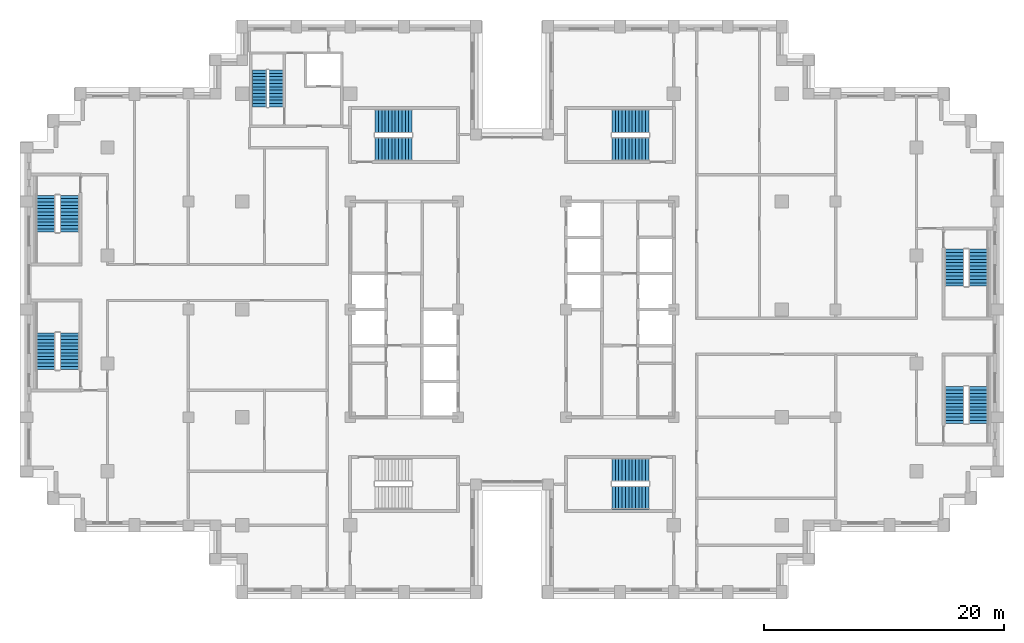
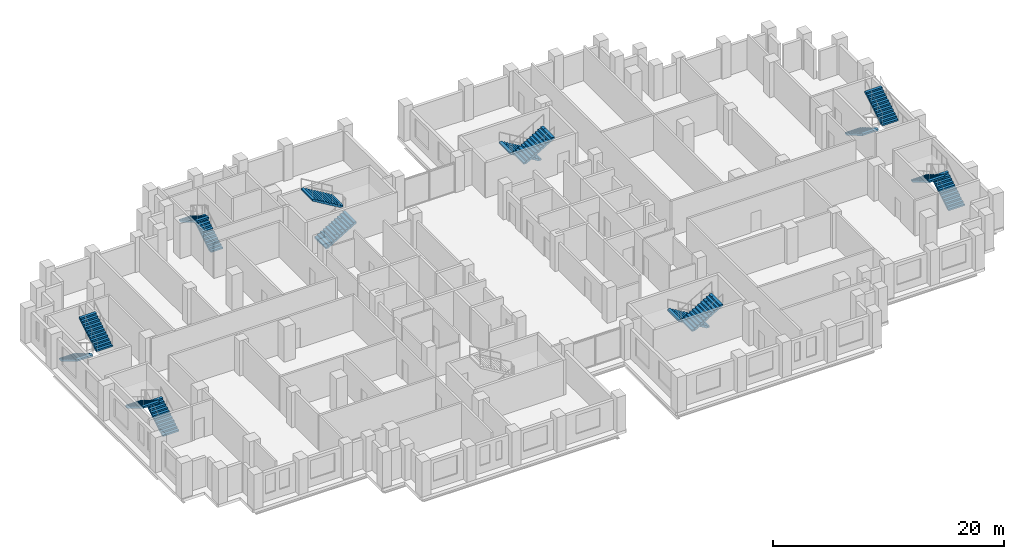
# One storey, part 13 of 15: 16 stair flights, 8 elements without a shape of their own.
"""IFC4 building model written with IfcOpenShell, lengths in metres."""

import ifcopenshell
import ifcopenshell.guid

model = None  # the IFC model being written
_history = None  # IfcOwnerHistory: only IFC2X3 demands one
_inside = {}  # id of a spatial element -> (the spatial element, [elements in it])
_under = {}  # id of a project, library or spatial element -> (it, [spatial elements below it])
_declared = {}  # id of a project -> (the project, [libraries it declares])
_typed = {}  # id of a type object -> (the type object, [elements of that type])
_made_of = {}  # id of a material, layer set ... -> (it, [elements and type objects made of it])


def new_model(schema):
    """Start an empty IFC model of exactly this schema.

    Asked for "IFC4X3", IfcOpenShell would pick the latest addendum, in which some entities
    have other attributes; the version numbers below select the first issue.
    IFC2X3 requires an IfcOwnerHistory on every rooted entity: one is made here for all.
    """
    global model, _history
    if schema == "IFC4X3":
        model = ifcopenshell.file(schema_version=(4, 3, 0, 0))
    else:
        model = ifcopenshell.file(schema=schema)
    _inside.clear()
    _under.clear()
    _declared.clear()
    _typed.clear()
    _made_of.clear()
    _history = None
    if model.schema == "IFC2X3":
        org = make("IfcOrganization", Name="unknown")
        user = make(
            "IfcPersonAndOrganization",
            ThePerson=make("IfcPerson", FamilyName="unknown"),
            TheOrganization=org,
        )
        app = make(
            "IfcApplication",
            ApplicationDeveloper=org,
            Version="unknown",
            ApplicationFullName="unknown",
            ApplicationIdentifier="unknown",
        )
        _history = make(
            "IfcOwnerHistory",
            OwningUser=user,
            OwningApplication=app,
            ChangeAction="ADDED",
            CreationDate=0,
        )
    return model


def make(cls, **values):
    """One entity of the class cls with the attributes given. An attribute that is None is left unset."""
    return model.create_entity(
        cls, **{name: value for name, value in values.items() if value is not None}
    )


def rooted(cls, **values):
    """An entity with a GlobalId (a new one), such as an element, a storey or a relation."""
    return make(cls, GlobalId=ifcopenshell.guid.new(), OwnerHistory=_history, **values)


def si_unit(unit_type, name, prefix=None):
    """IfcSIUnit, for example si_unit("LENGTHUNIT", "METRE", prefix="MILLI")."""
    return make("IfcSIUnit", UnitType=unit_type, Prefix=prefix, Name=name)


def assignment(units):
    """IfcUnitAssignment: the units of a project."""
    return None if units is None else make("IfcUnitAssignment", Units=units)


def point(xyz):
    """IfcCartesianPoint."""
    return None if xyz is None else make("IfcCartesianPoint", Coordinates=xyz)


def direction(xyz):
    """IfcDirection."""
    return None if xyz is None else make("IfcDirection", DirectionRatios=xyz)


def frame(location, z_axis=None, x_axis=None):
    """IfcAxis2Placement3D, a coordinate frame: its origin and axes. An axis left out is left unset."""
    return make(
        "IfcAxis2Placement3D",
        Location=point(location),
        Axis=direction(z_axis),
        RefDirection=direction(x_axis),
    )


def origin():
    """The frame at (0, 0, 0) with its axes left unset."""
    return frame((0.0, 0.0, 0.0))


def place(relative_to, where):
    """IfcLocalPlacement: puts the frame where relative to a parent placement (None: the world)."""
    return make(
        "IfcLocalPlacement", PlacementRelTo=relative_to, RelativePlacement=where
    )


def context(
    kind, dimensions, precision=None, world=None, true_north=None, identifier=None
):
    """IfcGeometricRepresentationContext, for example the 3D "Model" context."""
    return make(
        "IfcGeometricRepresentationContext",
        ContextIdentifier=identifier,
        ContextType=kind,
        CoordinateSpaceDimension=dimensions,
        Precision=precision,
        WorldCoordinateSystem=world,
        TrueNorth=true_north,
    )


def subcontext(parent, identifier, kind, view, scale=None):
    """IfcGeometricRepresentationSubContext, for example "Body" below "Model"."""
    return make(
        "IfcGeometricRepresentationSubContext",
        ContextIdentifier=identifier,
        ContextType=kind,
        ParentContext=parent,
        TargetScale=scale,
        TargetView=view,
    )


def project(units=None, contexts=None):
    """IfcProject with its units and contexts."""
    return rooted(
        "IfcProject",
        Name="project",
        RepresentationContexts=contexts,
        UnitsInContext=assignment(units),
    )


def spatial(cls, under=None, at=None, **own):
    """A site, building, storey or space (cls), placed at a placement, below another one or the project."""
    s = rooted(cls, ObjectPlacement=at, **own)
    if under is not None:
        _under.setdefault(under.id(), (under, []))[1].append(s)
    return s


def polyline(points):
    """IfcPolyline through the points."""
    return make("IfcPolyline", Points=[point(p) for p in points])


def outline(outer, holes=None, kind="AREA"):
    """IfcArbitraryClosedProfileDef: a profile drawn as a closed curve; with holes, ...WithVoids."""
    if holes is None:
        return make("IfcArbitraryClosedProfileDef", ProfileType=kind, OuterCurve=outer)
    return make(
        "IfcArbitraryProfileDefWithVoids",
        ProfileType=kind,
        OuterCurve=outer,
        InnerCurves=holes,
    )


def extrude(swept, where, along, depth):
    """IfcExtrudedAreaSolid: the profile swept, set in the frame where, extruded along a direction by depth."""
    return make(
        "IfcExtrudedAreaSolid",
        SweptArea=swept,
        Position=where,
        ExtrudedDirection=direction(along),
        Depth=depth,
    )


def shape(context_of_items, identifier, shape_type, items):
    """IfcShapeRepresentation: the items that make up one representation, for example the "Body"."""
    return make(
        "IfcShapeRepresentation",
        ContextOfItems=context_of_items,
        RepresentationIdentifier=identifier,
        RepresentationType=shape_type,
        Items=items,
    )


def material(Name=None, Category=None):
    """IfcMaterial."""
    return make("IfcMaterial", Name=Name, Category=Category)


def made_of(thing, what):
    """Note that an element or type object is made of a material, layer set ...; save() writes the relation."""
    if what is not None:
        _made_of.setdefault(what.id(), (what, []))[1].append(thing)
    return thing


def type_object(cls, material=None, **own):
    """A type object (cls), such as IfcWallType, which elements share."""
    return made_of(rooted(cls, **own), material)


def element(
    cls,
    number,
    at=None,
    inside=None,
    cuts=None,
    type_object=None,
    material=None,
    context=None,
    identifier="Body",
    shape_type=None,
    held_by="IfcProductDefinitionShape",
    body=None,
    shapes=None,
    **own,
):
    """One element of the class cls, such as IfcWall. Its Tag is "e" and its number.

    at: its placement. inside: the storey or other place that contains it. cuts: it is an
    opening in that element (IfcRelVoidsElement). A single representation is given by context,
    identifier, shape_type and body (its items); several are given by shapes. held_by: the class
    of the entity that holds the representations. save() writes the other relations.
    """
    e = rooted(cls, Tag="e%d" % number, ObjectPlacement=at, **own)
    if body is not None:
        shapes = [shape(context, identifier, shape_type, body)]
    if shapes is not None:
        e.Representation = make(held_by, Representations=shapes)
    if inside is not None:
        _inside.setdefault(inside.id(), (inside, []))[1].append(e)
    if cuts is not None:
        rooted(
            "IfcRelVoidsElement", RelatingBuildingElement=cuts, RelatedOpeningElement=e
        )
    if type_object is not None:
        _typed.setdefault(type_object.id(), (type_object, []))[1].append(e)
    return made_of(e, material)


def aggregate(whole, parts):
    """IfcRelAggregates: a whole, such as a stair, and the parts it consists of."""
    return rooted("IfcRelAggregates", RelatingObject=whole, RelatedObjects=parts)


def save(model, path):
    """Write the relations noted so far, then the file.

    IfcRelAggregates (storeys below a building ...), IfcRelContainedInSpatialStructure (elements
    in a storey), IfcRelDefinesByType, IfcRelAssociatesMaterial and IfcRelDeclares: one each for
    every whole, place, type object, material and project.
    """
    for whole, parts in _under.values():
        aggregate(whole, parts)
    for where, things in _inside.values():
        rooted(
            "IfcRelContainedInSpatialStructure",
            RelatedElements=things,
            RelatingStructure=where,
        )
    for kind, things in _typed.values():
        rooted("IfcRelDefinesByType", RelatedObjects=things, RelatingType=kind)
    for what, things in _made_of.values():
        rooted("IfcRelAssociatesMaterial", RelatedObjects=things, RelatingMaterial=what)
    for by, libraries in _declared.values():
        rooted("IfcRelDeclares", RelatingContext=by, RelatedDefinitions=libraries)
    model.write(path)


model = new_model("IFC4")

# Units and contexts
model_context = context("Model", 3, precision=1e-05, world=origin(), true_north=direction((0.0, 1.0)))
body_context = subcontext(model_context, "Body", "Model", "MODEL_VIEW")
ifc_project = project(units=[si_unit("LENGTHUNIT", "METRE"), si_unit("AREAUNIT", "SQUARE_METRE"), si_unit("VOLUMEUNIT", "CUBIC_METRE"), si_unit("PLANEANGLEUNIT", "RADIAN"), si_unit("MASSUNIT", "GRAM", prefix="KILO")], contexts=[model_context])

# Site, building, storey
site_placement = place(None, origin())
site = spatial("IfcSite", under=ifc_project, at=site_placement, CompositionType="ELEMENT")
building_placement = place(site_placement, origin())
building = spatial("IfcBuilding", under=site, at=building_placement, Name="Corbelhall Arena Tower", CompositionType="ELEMENT")
storey_placement = place(building_placement, frame((0.0, 0.0, 166.0)))
storey = spatial("IfcBuildingStorey", under=building, at=storey_placement, Name="L33", CompositionType="ELEMENT", Elevation=166.0)

# Stair, stair flights
ifc_material = material(Name="Concrete C40/50", Category="concrete")
stair_type = type_object("IfcStairType", Name="IN-ST-TOWER", PredefinedType="HALF_TURN_STAIR", material=ifc_material)
stair_1_placement = place(storey_placement, origin())
stair_1 = element("IfcStair", 1, at=stair_1_placement, inside=storey, type_object=stair_type, Name="L33 Exit stair ST1", PredefinedType="HALF_TURN_STAIR")
stair_flight_type = type_object("IfcStairFlightType", Name="IN-SFL-RC", PredefinedType="STRAIGHT", material=ifc_material)
stair_flight_1_placement = place(storey_placement, frame((-11.425048828125, 13.39990234375, 0.0), z_axis=(0.0, 0.0, 1.0), x_axis=(1.0, 0.0, 0.0)))
stair_flight_1 = element("IfcStairFlight", 2, at=stair_flight_1_placement, type_object=stair_flight_type, Name="ST1 flight 1", NumberOfRisers=12, NumberOfTreads=11, PredefinedType="STRAIGHT", RiserHeight=0.166666667, TreadLength=0.28, context=body_context, shape_type="SweptSolid", body=[
    extrude(outline(polyline([(0.0, 0.0), (0.0, 0.166748046875), (0.280029296875, 0.166748046875), (0.280029296875, 0.333251953125), (0.56005859375, 0.333251953125), (0.56005859375, 0.5), (0.840087890625, 0.5), (0.840087890625, 0.666748046875), (1.1201171875, 0.666748046875), (1.1201171875, 0.833251953125), (1.39990234375, 0.833251953125), (1.39990234375, 1.0), (1.679931640625, 1.0), (1.679931640625, 1.166748046875), (1.9599609375, 1.166748046875), (1.9599609375, 1.333251953125), (2.239990234375, 1.333251953125), (2.239990234375, 1.5), (2.52001953125, 1.5), (2.52001953125, 1.666748046875), (2.800048828125, 1.666748046875), (2.800048828125, 1.833251953125), (3.080078125, 1.833251953125), (3.080078125, 2.0), (3.080078125, 1.658935546875), (0.29296875, 0.0), (0.0, 0.0)])), frame((0.0, 0.97509765625, 0.0), z_axis=(0.0, -1.0, 0.0), x_axis=(1.0, 0.0, 0.0)), (0.0, 0.0, 1.0), 0.449951171875),
    extrude(outline(polyline([(0.0, 0.0), (0.0, 0.166748046875), (0.280029296875, 0.166748046875), (0.280029296875, 0.333251953125), (0.56005859375, 0.333251953125), (0.56005859375, 0.5), (0.840087890625, 0.5), (0.840087890625, 0.666748046875), (1.1201171875, 0.666748046875), (1.1201171875, 0.833251953125), (1.39990234375, 0.833251953125), (1.39990234375, 1.0), (1.679931640625, 1.0), (1.679931640625, 1.166748046875), (1.9599609375, 1.166748046875), (1.9599609375, 1.333251953125), (2.239990234375, 1.333251953125), (2.239990234375, 1.5), (2.52001953125, 1.5), (2.52001953125, 1.666748046875), (2.800048828125, 1.666748046875), (2.800048828125, 1.833251953125), (3.080078125, 1.833251953125), (3.080078125, 2.0), (3.080078125, 1.658935546875), (0.29296875, 0.0), (0.0, 0.0)])), frame((0.0, 0.52099609375, 0.0), z_axis=(0.0, -1.0, 0.0), x_axis=(1.0, 0.0, 0.0)), (0.0, 0.0, 1.0), 1.0419921875),
    extrude(outline(polyline([(0.0, 0.0), (0.0, 0.166748046875), (0.280029296875, 0.166748046875), (0.280029296875, 0.333251953125), (0.56005859375, 0.333251953125), (0.56005859375, 0.5), (0.840087890625, 0.5), (0.840087890625, 0.666748046875), (1.1201171875, 0.666748046875), (1.1201171875, 0.833251953125), (1.39990234375, 0.833251953125), (1.39990234375, 1.0), (1.679931640625, 1.0), (1.679931640625, 1.166748046875), (1.9599609375, 1.166748046875), (1.9599609375, 1.333251953125), (2.239990234375, 1.333251953125), (2.239990234375, 1.5), (2.52001953125, 1.5), (2.52001953125, 1.666748046875), (2.800048828125, 1.666748046875), (2.800048828125, 1.833251953125), (3.080078125, 1.833251953125), (3.080078125, 2.0), (3.080078125, 1.658935546875), (0.29296875, 0.0), (0.0, 0.0)])), frame((0.0, -0.52490234375, 0.0), z_axis=(0.0, -1.0, 0.0), x_axis=(1.0, 0.0, 0.0)), (0.0, 0.0, 1.0), 0.449951171875),
])
stair_flight_2_placement = place(storey_placement, frame((-8.344970703125, 15.699951171875, 2.0), z_axis=(0.0, 0.0, 1.0), x_axis=(-1.0, 0.0, 0.0)))
stair_flight_2 = element("IfcStairFlight", 3, at=stair_flight_2_placement, type_object=stair_flight_type, Name="ST1 flight 2", NumberOfRisers=12, NumberOfTreads=11, PredefinedType="STRAIGHT", RiserHeight=0.166666667, TreadLength=0.28, context=body_context, shape_type="SweptSolid", body=[
    extrude(outline(polyline([(0.0, 0.0), (0.0, 0.166748046875), (0.280029296875, 0.166748046875), (0.280029296875, 0.333251953125), (0.56005859375, 0.333251953125), (0.56005859375, 0.5), (0.840087890625, 0.5), (0.840087890625, 0.666748046875), (1.1201171875, 0.666748046875), (1.1201171875, 0.833251953125), (1.39990234375, 0.833251953125), (1.39990234375, 1.0), (1.679931640625, 1.0), (1.679931640625, 1.166748046875), (1.9599609375, 1.166748046875), (1.9599609375, 1.333251953125), (2.239990234375, 1.333251953125), (2.239990234375, 1.5), (2.52001953125, 1.5), (2.52001953125, 1.666748046875), (2.800048828125, 1.666748046875), (2.800048828125, 1.833251953125), (3.080078125, 1.833251953125), (3.080078125, 2.0), (3.080078125, 1.658935546875), (0.29296875, 0.0), (0.0, 0.0)])), frame((0.0, 0.97509765625, 0.0), z_axis=(0.0, -1.0, 0.0), x_axis=(1.0, 0.0, 0.0)), (0.0, 0.0, 1.0), 0.449951171875),
    extrude(outline(polyline([(0.0, 0.0), (0.0, 0.166748046875), (0.280029296875, 0.166748046875), (0.280029296875, 0.333251953125), (0.56005859375, 0.333251953125), (0.56005859375, 0.5), (0.840087890625, 0.5), (0.840087890625, 0.666748046875), (1.1201171875, 0.666748046875), (1.1201171875, 0.833251953125), (1.39990234375, 0.833251953125), (1.39990234375, 1.0), (1.679931640625, 1.0), (1.679931640625, 1.166748046875), (1.9599609375, 1.166748046875), (1.9599609375, 1.333251953125), (2.239990234375, 1.333251953125), (2.239990234375, 1.5), (2.52001953125, 1.5), (2.52001953125, 1.666748046875), (2.800048828125, 1.666748046875), (2.800048828125, 1.833251953125), (3.080078125, 1.833251953125), (3.080078125, 2.0), (3.080078125, 1.658935546875), (0.29296875, 0.0), (0.0, 0.0)])), frame((0.0, 0.52099609375, 0.0), z_axis=(0.0, -1.0, 0.0), x_axis=(1.0, 0.0, 0.0)), (0.0, 0.0, 1.0), 1.0419921875),
    extrude(outline(polyline([(0.0, 0.0), (0.0, 0.166748046875), (0.280029296875, 0.166748046875), (0.280029296875, 0.333251953125), (0.56005859375, 0.333251953125), (0.56005859375, 0.5), (0.840087890625, 0.5), (0.840087890625, 0.666748046875), (1.1201171875, 0.666748046875), (1.1201171875, 0.833251953125), (1.39990234375, 0.833251953125), (1.39990234375, 1.0), (1.679931640625, 1.0), (1.679931640625, 1.166748046875), (1.9599609375, 1.166748046875), (1.9599609375, 1.333251953125), (2.239990234375, 1.333251953125), (2.239990234375, 1.5), (2.52001953125, 1.5), (2.52001953125, 1.666748046875), (2.800048828125, 1.666748046875), (2.800048828125, 1.833251953125), (3.080078125, 1.833251953125), (3.080078125, 2.0), (3.080078125, 1.658935546875), (0.29296875, 0.0), (0.0, 0.0)])), frame((0.0, -0.52490234375, 0.0), z_axis=(0.0, -1.0, 0.0), x_axis=(1.0, 0.0, 0.0)), (0.0, 0.0, 1.0), 0.449951171875),
])
aggregate(stair_1, [stair_flight_1, stair_flight_2])

stair_2_placement = place(storey_placement, origin())
stair_2 = element("IfcStair", 4, at=stair_2_placement, inside=storey, type_object=stair_type, Name="L33 Exit stair ST3", PredefinedType="HALF_TURN_STAIR")
stair_flight_3_placement = place(storey_placement, frame((11.425048828125, 15.699951171875, 0.0), z_axis=(0.0, 0.0, 1.0), x_axis=(-1.0, 0.0, 0.0)))
stair_flight_3 = element("IfcStairFlight", 5, at=stair_flight_3_placement, type_object=stair_flight_type, Name="ST3 flight 1", NumberOfRisers=12, NumberOfTreads=11, PredefinedType="STRAIGHT", RiserHeight=0.166666667, TreadLength=0.28, context=body_context, shape_type="SweptSolid", body=[
    extrude(outline(polyline([(0.0, 0.0), (0.0, 0.166748046875), (0.280029296875, 0.166748046875), (0.280029296875, 0.333251953125), (0.56005859375, 0.333251953125), (0.56005859375, 0.5), (0.840087890625, 0.5), (0.840087890625, 0.666748046875), (1.1201171875, 0.666748046875), (1.1201171875, 0.833251953125), (1.39990234375, 0.833251953125), (1.39990234375, 1.0), (1.679931640625, 1.0), (1.679931640625, 1.166748046875), (1.9599609375, 1.166748046875), (1.9599609375, 1.333251953125), (2.239990234375, 1.333251953125), (2.239990234375, 1.5), (2.52001953125, 1.5), (2.52001953125, 1.666748046875), (2.800048828125, 1.666748046875), (2.800048828125, 1.833251953125), (3.080078125, 1.833251953125), (3.080078125, 2.0), (3.080078125, 1.658935546875), (0.29296875, 0.0), (0.0, 0.0)])), frame((0.0, 0.97509765625, 0.0), z_axis=(0.0, -1.0, 0.0), x_axis=(1.0, 0.0, 0.0)), (0.0, 0.0, 1.0), 0.449951171875),
    extrude(outline(polyline([(0.0, 0.0), (0.0, 0.166748046875), (0.280029296875, 0.166748046875), (0.280029296875, 0.333251953125), (0.56005859375, 0.333251953125), (0.56005859375, 0.5), (0.840087890625, 0.5), (0.840087890625, 0.666748046875), (1.1201171875, 0.666748046875), (1.1201171875, 0.833251953125), (1.39990234375, 0.833251953125), (1.39990234375, 1.0), (1.679931640625, 1.0), (1.679931640625, 1.166748046875), (1.9599609375, 1.166748046875), (1.9599609375, 1.333251953125), (2.239990234375, 1.333251953125), (2.239990234375, 1.5), (2.52001953125, 1.5), (2.52001953125, 1.666748046875), (2.800048828125, 1.666748046875), (2.800048828125, 1.833251953125), (3.080078125, 1.833251953125), (3.080078125, 2.0), (3.080078125, 1.658935546875), (0.29296875, 0.0), (0.0, 0.0)])), frame((0.0, 0.52099609375, 0.0), z_axis=(0.0, -1.0, 0.0), x_axis=(1.0, 0.0, 0.0)), (0.0, 0.0, 1.0), 1.0419921875),
    extrude(outline(polyline([(0.0, 0.0), (0.0, 0.166748046875), (0.280029296875, 0.166748046875), (0.280029296875, 0.333251953125), (0.56005859375, 0.333251953125), (0.56005859375, 0.5), (0.840087890625, 0.5), (0.840087890625, 0.666748046875), (1.1201171875, 0.666748046875), (1.1201171875, 0.833251953125), (1.39990234375, 0.833251953125), (1.39990234375, 1.0), (1.679931640625, 1.0), (1.679931640625, 1.166748046875), (1.9599609375, 1.166748046875), (1.9599609375, 1.333251953125), (2.239990234375, 1.333251953125), (2.239990234375, 1.5), (2.52001953125, 1.5), (2.52001953125, 1.666748046875), (2.800048828125, 1.666748046875), (2.800048828125, 1.833251953125), (3.080078125, 1.833251953125), (3.080078125, 2.0), (3.080078125, 1.658935546875), (0.29296875, 0.0), (0.0, 0.0)])), frame((0.0, -0.52490234375, 0.0), z_axis=(0.0, -1.0, 0.0), x_axis=(1.0, 0.0, 0.0)), (0.0, 0.0, 1.0), 0.449951171875),
])
stair_flight_4_placement = place(storey_placement, frame((8.344970703125, 13.39990234375, 2.0), z_axis=(0.0, 0.0, 1.0), x_axis=(1.0, 0.0, 0.0)))
stair_flight_4 = element("IfcStairFlight", 6, at=stair_flight_4_placement, type_object=stair_flight_type, Name="ST3 flight 2", NumberOfRisers=12, NumberOfTreads=11, PredefinedType="STRAIGHT", RiserHeight=0.166666667, TreadLength=0.28, context=body_context, shape_type="SweptSolid", body=[
    extrude(outline(polyline([(0.0, 0.0), (0.0, 0.166748046875), (0.280029296875, 0.166748046875), (0.280029296875, 0.333251953125), (0.56005859375, 0.333251953125), (0.56005859375, 0.5), (0.840087890625, 0.5), (0.840087890625, 0.666748046875), (1.1201171875, 0.666748046875), (1.1201171875, 0.833251953125), (1.39990234375, 0.833251953125), (1.39990234375, 1.0), (1.679931640625, 1.0), (1.679931640625, 1.166748046875), (1.9599609375, 1.166748046875), (1.9599609375, 1.333251953125), (2.239990234375, 1.333251953125), (2.239990234375, 1.5), (2.52001953125, 1.5), (2.52001953125, 1.666748046875), (2.800048828125, 1.666748046875), (2.800048828125, 1.833251953125), (3.080078125, 1.833251953125), (3.080078125, 2.0), (3.080078125, 1.658935546875), (0.29296875, 0.0), (0.0, 0.0)])), frame((0.0, 0.97509765625, 0.0), z_axis=(0.0, -1.0, 0.0), x_axis=(1.0, 0.0, 0.0)), (0.0, 0.0, 1.0), 0.449951171875),
    extrude(outline(polyline([(0.0, 0.0), (0.0, 0.166748046875), (0.280029296875, 0.166748046875), (0.280029296875, 0.333251953125), (0.56005859375, 0.333251953125), (0.56005859375, 0.5), (0.840087890625, 0.5), (0.840087890625, 0.666748046875), (1.1201171875, 0.666748046875), (1.1201171875, 0.833251953125), (1.39990234375, 0.833251953125), (1.39990234375, 1.0), (1.679931640625, 1.0), (1.679931640625, 1.166748046875), (1.9599609375, 1.166748046875), (1.9599609375, 1.333251953125), (2.239990234375, 1.333251953125), (2.239990234375, 1.5), (2.52001953125, 1.5), (2.52001953125, 1.666748046875), (2.800048828125, 1.666748046875), (2.800048828125, 1.833251953125), (3.080078125, 1.833251953125), (3.080078125, 2.0), (3.080078125, 1.658935546875), (0.29296875, 0.0), (0.0, 0.0)])), frame((0.0, 0.52099609375, 0.0), z_axis=(0.0, -1.0, 0.0), x_axis=(1.0, 0.0, 0.0)), (0.0, 0.0, 1.0), 1.0419921875),
    extrude(outline(polyline([(0.0, 0.0), (0.0, 0.166748046875), (0.280029296875, 0.166748046875), (0.280029296875, 0.333251953125), (0.56005859375, 0.333251953125), (0.56005859375, 0.5), (0.840087890625, 0.5), (0.840087890625, 0.666748046875), (1.1201171875, 0.666748046875), (1.1201171875, 0.833251953125), (1.39990234375, 0.833251953125), (1.39990234375, 1.0), (1.679931640625, 1.0), (1.679931640625, 1.166748046875), (1.9599609375, 1.166748046875), (1.9599609375, 1.333251953125), (2.239990234375, 1.333251953125), (2.239990234375, 1.5), (2.52001953125, 1.5), (2.52001953125, 1.666748046875), (2.800048828125, 1.666748046875), (2.800048828125, 1.833251953125), (3.080078125, 1.833251953125), (3.080078125, 2.0), (3.080078125, 1.658935546875), (0.29296875, 0.0), (0.0, 0.0)])), frame((0.0, -0.52490234375, 0.0), z_axis=(0.0, -1.0, 0.0), x_axis=(1.0, 0.0, 0.0)), (0.0, 0.0, 1.0), 0.449951171875),
])
aggregate(stair_2, [stair_flight_3, stair_flight_4])

stair_3_placement = place(storey_placement, origin())
stair_3 = element("IfcStair", 7, at=stair_3_placement, inside=storey, type_object=stair_type, Name="L33 Exit stair ST4", PredefinedType="HALF_TURN_STAIR")
stair_flight_5_placement = place(storey_placement, frame((11.425048828125, -13.39990234375, 0.0), z_axis=(0.0, 0.0, 1.0), x_axis=(-1.0, 0.0, 0.0)))
stair_flight_5 = element("IfcStairFlight", 8, at=stair_flight_5_placement, type_object=stair_flight_type, Name="ST4 flight 1", NumberOfRisers=12, NumberOfTreads=11, PredefinedType="STRAIGHT", RiserHeight=0.166666667, TreadLength=0.28, context=body_context, shape_type="SweptSolid", body=[
    extrude(outline(polyline([(0.0, 0.0), (0.0, 0.166748046875), (0.280029296875, 0.166748046875), (0.280029296875, 0.333251953125), (0.56005859375, 0.333251953125), (0.56005859375, 0.5), (0.840087890625, 0.5), (0.840087890625, 0.666748046875), (1.1201171875, 0.666748046875), (1.1201171875, 0.833251953125), (1.39990234375, 0.833251953125), (1.39990234375, 1.0), (1.679931640625, 1.0), (1.679931640625, 1.166748046875), (1.9599609375, 1.166748046875), (1.9599609375, 1.333251953125), (2.239990234375, 1.333251953125), (2.239990234375, 1.5), (2.52001953125, 1.5), (2.52001953125, 1.666748046875), (2.800048828125, 1.666748046875), (2.800048828125, 1.833251953125), (3.080078125, 1.833251953125), (3.080078125, 2.0), (3.080078125, 1.658935546875), (0.29296875, 0.0), (0.0, 0.0)])), frame((0.0, 0.97509765625, 0.0), z_axis=(0.0, -1.0, 0.0), x_axis=(1.0, 0.0, 0.0)), (0.0, 0.0, 1.0), 0.449951171875),
    extrude(outline(polyline([(0.0, 0.0), (0.0, 0.166748046875), (0.280029296875, 0.166748046875), (0.280029296875, 0.333251953125), (0.56005859375, 0.333251953125), (0.56005859375, 0.5), (0.840087890625, 0.5), (0.840087890625, 0.666748046875), (1.1201171875, 0.666748046875), (1.1201171875, 0.833251953125), (1.39990234375, 0.833251953125), (1.39990234375, 1.0), (1.679931640625, 1.0), (1.679931640625, 1.166748046875), (1.9599609375, 1.166748046875), (1.9599609375, 1.333251953125), (2.239990234375, 1.333251953125), (2.239990234375, 1.5), (2.52001953125, 1.5), (2.52001953125, 1.666748046875), (2.800048828125, 1.666748046875), (2.800048828125, 1.833251953125), (3.080078125, 1.833251953125), (3.080078125, 2.0), (3.080078125, 1.658935546875), (0.29296875, 0.0), (0.0, 0.0)])), frame((0.0, 0.52099609375, 0.0), z_axis=(0.0, -1.0, 0.0), x_axis=(1.0, 0.0, 0.0)), (0.0, 0.0, 1.0), 1.0419921875),
    extrude(outline(polyline([(0.0, 0.0), (0.0, 0.166748046875), (0.280029296875, 0.166748046875), (0.280029296875, 0.333251953125), (0.56005859375, 0.333251953125), (0.56005859375, 0.5), (0.840087890625, 0.5), (0.840087890625, 0.666748046875), (1.1201171875, 0.666748046875), (1.1201171875, 0.833251953125), (1.39990234375, 0.833251953125), (1.39990234375, 1.0), (1.679931640625, 1.0), (1.679931640625, 1.166748046875), (1.9599609375, 1.166748046875), (1.9599609375, 1.333251953125), (2.239990234375, 1.333251953125), (2.239990234375, 1.5), (2.52001953125, 1.5), (2.52001953125, 1.666748046875), (2.800048828125, 1.666748046875), (2.800048828125, 1.833251953125), (3.080078125, 1.833251953125), (3.080078125, 2.0), (3.080078125, 1.658935546875), (0.29296875, 0.0), (0.0, 0.0)])), frame((0.0, -0.52490234375, 0.0), z_axis=(0.0, -1.0, 0.0), x_axis=(1.0, 0.0, 0.0)), (0.0, 0.0, 1.0), 0.449951171875),
])
stair_flight_6_placement = place(storey_placement, frame((8.344970703125, -15.699951171875, 2.0), z_axis=(0.0, 0.0, 1.0), x_axis=(1.0, 0.0, 0.0)))
stair_flight_6 = element("IfcStairFlight", 9, at=stair_flight_6_placement, type_object=stair_flight_type, Name="ST4 flight 2", NumberOfRisers=12, NumberOfTreads=11, PredefinedType="STRAIGHT", RiserHeight=0.166666667, TreadLength=0.28, context=body_context, shape_type="SweptSolid", body=[
    extrude(outline(polyline([(0.0, 0.0), (0.0, 0.166748046875), (0.280029296875, 0.166748046875), (0.280029296875, 0.333251953125), (0.56005859375, 0.333251953125), (0.56005859375, 0.5), (0.840087890625, 0.5), (0.840087890625, 0.666748046875), (1.1201171875, 0.666748046875), (1.1201171875, 0.833251953125), (1.39990234375, 0.833251953125), (1.39990234375, 1.0), (1.679931640625, 1.0), (1.679931640625, 1.166748046875), (1.9599609375, 1.166748046875), (1.9599609375, 1.333251953125), (2.239990234375, 1.333251953125), (2.239990234375, 1.5), (2.52001953125, 1.5), (2.52001953125, 1.666748046875), (2.800048828125, 1.666748046875), (2.800048828125, 1.833251953125), (3.080078125, 1.833251953125), (3.080078125, 2.0), (3.080078125, 1.658935546875), (0.29296875, 0.0), (0.0, 0.0)])), frame((0.0, 0.97509765625, 0.0), z_axis=(0.0, -1.0, 0.0), x_axis=(1.0, 0.0, 0.0)), (0.0, 0.0, 1.0), 0.449951171875),
    extrude(outline(polyline([(0.0, 0.0), (0.0, 0.166748046875), (0.280029296875, 0.166748046875), (0.280029296875, 0.333251953125), (0.56005859375, 0.333251953125), (0.56005859375, 0.5), (0.840087890625, 0.5), (0.840087890625, 0.666748046875), (1.1201171875, 0.666748046875), (1.1201171875, 0.833251953125), (1.39990234375, 0.833251953125), (1.39990234375, 1.0), (1.679931640625, 1.0), (1.679931640625, 1.166748046875), (1.9599609375, 1.166748046875), (1.9599609375, 1.333251953125), (2.239990234375, 1.333251953125), (2.239990234375, 1.5), (2.52001953125, 1.5), (2.52001953125, 1.666748046875), (2.800048828125, 1.666748046875), (2.800048828125, 1.833251953125), (3.080078125, 1.833251953125), (3.080078125, 2.0), (3.080078125, 1.658935546875), (0.29296875, 0.0), (0.0, 0.0)])), frame((0.0, 0.52099609375, 0.0), z_axis=(0.0, -1.0, 0.0), x_axis=(1.0, 0.0, 0.0)), (0.0, 0.0, 1.0), 1.0419921875),
    extrude(outline(polyline([(0.0, 0.0), (0.0, 0.166748046875), (0.280029296875, 0.166748046875), (0.280029296875, 0.333251953125), (0.56005859375, 0.333251953125), (0.56005859375, 0.5), (0.840087890625, 0.5), (0.840087890625, 0.666748046875), (1.1201171875, 0.666748046875), (1.1201171875, 0.833251953125), (1.39990234375, 0.833251953125), (1.39990234375, 1.0), (1.679931640625, 1.0), (1.679931640625, 1.166748046875), (1.9599609375, 1.166748046875), (1.9599609375, 1.333251953125), (2.239990234375, 1.333251953125), (2.239990234375, 1.5), (2.52001953125, 1.5), (2.52001953125, 1.666748046875), (2.800048828125, 1.666748046875), (2.800048828125, 1.833251953125), (3.080078125, 1.833251953125), (3.080078125, 2.0), (3.080078125, 1.658935546875), (0.29296875, 0.0), (0.0, 0.0)])), frame((0.0, -0.52490234375, 0.0), z_axis=(0.0, -1.0, 0.0), x_axis=(1.0, 0.0, 0.0)), (0.0, 0.0, 1.0), 0.449951171875),
])
aggregate(stair_3, [stair_flight_5, stair_flight_6])

stair_4_placement = place(storey_placement, origin())
stair_4 = element("IfcStair", 10, at=stair_4_placement, inside=storey, type_object=stair_type, Name="L33 Exit stair SC1", PredefinedType="HALF_TURN_STAIR")
stair_flight_7_placement = place(storey_placement, frame((-38.89990234375, 9.52490234375, 0.0), z_axis=(0.0, 0.0, 1.0), x_axis=(0.0, -1.0, 0.0)))
stair_flight_7 = element("IfcStairFlight", 11, at=stair_flight_7_placement, type_object=stair_flight_type, Name="SC1 flight 1", NumberOfRisers=12, NumberOfTreads=11, PredefinedType="STRAIGHT", RiserHeight=0.166666667, TreadLength=0.28, context=body_context, shape_type="SweptSolid", body=[
    extrude(outline(polyline([(0.0, 0.0), (0.0, 0.166748046875), (0.280029296875, 0.166748046875), (0.280029296875, 0.333251953125), (0.56005859375, 0.333251953125), (0.56005859375, 0.5), (0.840087890625, 0.5), (0.840087890625, 0.666748046875), (1.1201171875, 0.666748046875), (1.1201171875, 0.833251953125), (1.39990234375, 0.833251953125), (1.39990234375, 1.0), (1.679931640625, 1.0), (1.679931640625, 1.166748046875), (1.9599609375, 1.166748046875), (1.9599609375, 1.333251953125), (2.239990234375, 1.333251953125), (2.239990234375, 1.5), (2.52001953125, 1.5), (2.52001953125, 1.666748046875), (2.800048828125, 1.666748046875), (2.800048828125, 1.833251953125), (3.080078125, 1.833251953125), (3.080078125, 2.0), (3.080078125, 1.658935546875), (0.29296875, 0.0), (0.0, 0.0)])), frame((0.0, 0.800048828125, 0.0), z_axis=(0.0, -1.0, 0.0), x_axis=(1.0, 0.0, 0.0)), (0.0, 0.0, 1.0), 1.60009765625),
])
stair_flight_8_placement = place(storey_placement, frame((-36.925048828125, 6.445068359375, 2.0), z_axis=(0.0, 0.0, 1.0), x_axis=(0.0, 1.0, 0.0)))
stair_flight_8 = element("IfcStairFlight", 12, at=stair_flight_8_placement, type_object=stair_flight_type, Name="SC1 flight 2", NumberOfRisers=12, NumberOfTreads=11, PredefinedType="STRAIGHT", RiserHeight=0.166666667, TreadLength=0.28, context=body_context, shape_type="SweptSolid", body=[
    extrude(outline(polyline([(0.0, 0.0), (0.0, 0.166748046875), (0.280029296875, 0.166748046875), (0.280029296875, 0.333251953125), (0.56005859375, 0.333251953125), (0.56005859375, 0.5), (0.840087890625, 0.5), (0.840087890625, 0.666748046875), (1.1201171875, 0.666748046875), (1.1201171875, 0.833251953125), (1.39990234375, 0.833251953125), (1.39990234375, 1.0), (1.679931640625, 1.0), (1.679931640625, 1.166748046875), (1.9599609375, 1.166748046875), (1.9599609375, 1.333251953125), (2.239990234375, 1.333251953125), (2.239990234375, 1.5), (2.52001953125, 1.5), (2.52001953125, 1.666748046875), (2.800048828125, 1.666748046875), (2.800048828125, 1.833251953125), (3.080078125, 1.833251953125), (3.080078125, 2.0), (3.080078125, 1.658935546875), (0.29296875, 0.0), (0.0, 0.0)])), frame((0.0, 0.800048828125, 0.0), z_axis=(0.0, -1.0, 0.0), x_axis=(1.0, 0.0, 0.0)), (0.0, 0.0, 1.0), 1.60009765625),
])
aggregate(stair_4, [stair_flight_7, stair_flight_8])

stair_5_placement = place(storey_placement, origin())
stair_5 = element("IfcStair", 13, at=stair_5_placement, inside=storey, type_object=stair_type, Name="L33 Exit stair SC2", PredefinedType="HALF_TURN_STAIR")
stair_flight_9_placement = place(storey_placement, frame((-36.925048828125, -5.02490234375, 0.0), z_axis=(0.0, 0.0, 1.0), x_axis=(0.0, 1.0, 0.0)))
stair_flight_9 = element("IfcStairFlight", 14, at=stair_flight_9_placement, type_object=stair_flight_type, Name="SC2 flight 1", NumberOfRisers=12, NumberOfTreads=11, PredefinedType="STRAIGHT", RiserHeight=0.166666667, TreadLength=0.28, context=body_context, shape_type="SweptSolid", body=[
    extrude(outline(polyline([(0.0, 0.0), (0.0, 0.166748046875), (0.280029296875, 0.166748046875), (0.280029296875, 0.333251953125), (0.56005859375, 0.333251953125), (0.56005859375, 0.5), (0.840087890625, 0.5), (0.840087890625, 0.666748046875), (1.1201171875, 0.666748046875), (1.1201171875, 0.833251953125), (1.39990234375, 0.833251953125), (1.39990234375, 1.0), (1.679931640625, 1.0), (1.679931640625, 1.166748046875), (1.9599609375, 1.166748046875), (1.9599609375, 1.333251953125), (2.239990234375, 1.333251953125), (2.239990234375, 1.5), (2.52001953125, 1.5), (2.52001953125, 1.666748046875), (2.800048828125, 1.666748046875), (2.800048828125, 1.833251953125), (3.080078125, 1.833251953125), (3.080078125, 2.0), (3.080078125, 1.658935546875), (0.29296875, 0.0), (0.0, 0.0)])), frame((0.0, 0.800048828125, 0.0), z_axis=(0.0, -1.0, 0.0), x_axis=(1.0, 0.0, 0.0)), (0.0, 0.0, 1.0), 1.60009765625),
])
stair_flight_10_placement = place(storey_placement, frame((-38.89990234375, -1.945068359375, 2.0), z_axis=(0.0, 0.0, 1.0), x_axis=(0.0, -1.0, 0.0)))
stair_flight_10 = element("IfcStairFlight", 15, at=stair_flight_10_placement, type_object=stair_flight_type, Name="SC2 flight 2", NumberOfRisers=12, NumberOfTreads=11, PredefinedType="STRAIGHT", RiserHeight=0.166666667, TreadLength=0.28, context=body_context, shape_type="SweptSolid", body=[
    extrude(outline(polyline([(0.0, 0.0), (0.0, 0.166748046875), (0.280029296875, 0.166748046875), (0.280029296875, 0.333251953125), (0.56005859375, 0.333251953125), (0.56005859375, 0.5), (0.840087890625, 0.5), (0.840087890625, 0.666748046875), (1.1201171875, 0.666748046875), (1.1201171875, 0.833251953125), (1.39990234375, 0.833251953125), (1.39990234375, 1.0), (1.679931640625, 1.0), (1.679931640625, 1.166748046875), (1.9599609375, 1.166748046875), (1.9599609375, 1.333251953125), (2.239990234375, 1.333251953125), (2.239990234375, 1.5), (2.52001953125, 1.5), (2.52001953125, 1.666748046875), (2.800048828125, 1.666748046875), (2.800048828125, 1.833251953125), (3.080078125, 1.833251953125), (3.080078125, 2.0), (3.080078125, 1.658935546875), (0.29296875, 0.0), (0.0, 0.0)])), frame((0.0, 0.800048828125, 0.0), z_axis=(0.0, -1.0, 0.0), x_axis=(1.0, 0.0, 0.0)), (0.0, 0.0, 1.0), 1.60009765625),
])
aggregate(stair_5, [stair_flight_9, stair_flight_10])

stair_6_placement = place(storey_placement, origin())
stair_6 = element("IfcStair", 16, at=stair_6_placement, inside=storey, type_object=stair_type, Name="L33 Exit stair SD1", PredefinedType="HALF_TURN_STAIR")
stair_flight_11_placement = place(storey_placement, frame((38.89990234375, -9.52490234375, 0.0), z_axis=(0.0, 0.0, 1.0), x_axis=(0.0, 1.0, 0.0)))
stair_flight_11 = element("IfcStairFlight", 17, at=stair_flight_11_placement, type_object=stair_flight_type, Name="SD1 flight 1", NumberOfRisers=12, NumberOfTreads=11, PredefinedType="STRAIGHT", RiserHeight=0.166666667, TreadLength=0.28, context=body_context, shape_type="SweptSolid", body=[
    extrude(outline(polyline([(0.0, 0.0), (0.0, 0.166748046875), (0.280029296875, 0.166748046875), (0.280029296875, 0.333251953125), (0.56005859375, 0.333251953125), (0.56005859375, 0.5), (0.840087890625, 0.5), (0.840087890625, 0.666748046875), (1.1201171875, 0.666748046875), (1.1201171875, 0.833251953125), (1.39990234375, 0.833251953125), (1.39990234375, 1.0), (1.679931640625, 1.0), (1.679931640625, 1.166748046875), (1.9599609375, 1.166748046875), (1.9599609375, 1.333251953125), (2.239990234375, 1.333251953125), (2.239990234375, 1.5), (2.52001953125, 1.5), (2.52001953125, 1.666748046875), (2.800048828125, 1.666748046875), (2.800048828125, 1.833251953125), (3.080078125, 1.833251953125), (3.080078125, 2.0), (3.080078125, 1.658935546875), (0.29296875, 0.0), (0.0, 0.0)])), frame((0.0, 0.800048828125, 0.0), z_axis=(0.0, -1.0, 0.0), x_axis=(1.0, 0.0, 0.0)), (0.0, 0.0, 1.0), 1.60009765625),
])
stair_flight_12_placement = place(storey_placement, frame((36.925048828125, -6.445068359375, 2.0), z_axis=(0.0, 0.0, 1.0), x_axis=(0.0, -1.0, 0.0)))
stair_flight_12 = element("IfcStairFlight", 18, at=stair_flight_12_placement, type_object=stair_flight_type, Name="SD1 flight 2", NumberOfRisers=12, NumberOfTreads=11, PredefinedType="STRAIGHT", RiserHeight=0.166666667, TreadLength=0.28, context=body_context, shape_type="SweptSolid", body=[
    extrude(outline(polyline([(0.0, 0.0), (0.0, 0.166748046875), (0.280029296875, 0.166748046875), (0.280029296875, 0.333251953125), (0.56005859375, 0.333251953125), (0.56005859375, 0.5), (0.840087890625, 0.5), (0.840087890625, 0.666748046875), (1.1201171875, 0.666748046875), (1.1201171875, 0.833251953125), (1.39990234375, 0.833251953125), (1.39990234375, 1.0), (1.679931640625, 1.0), (1.679931640625, 1.166748046875), (1.9599609375, 1.166748046875), (1.9599609375, 1.333251953125), (2.239990234375, 1.333251953125), (2.239990234375, 1.5), (2.52001953125, 1.5), (2.52001953125, 1.666748046875), (2.800048828125, 1.666748046875), (2.800048828125, 1.833251953125), (3.080078125, 1.833251953125), (3.080078125, 2.0), (3.080078125, 1.658935546875), (0.29296875, 0.0), (0.0, 0.0)])), frame((0.0, 0.800048828125, 0.0), z_axis=(0.0, -1.0, 0.0), x_axis=(1.0, 0.0, 0.0)), (0.0, 0.0, 1.0), 1.60009765625),
])
aggregate(stair_6, [stair_flight_11, stair_flight_12])

stair_7_placement = place(storey_placement, origin())
stair_7 = element("IfcStair", 19, at=stair_7_placement, inside=storey, type_object=stair_type, Name="L33 Exit stair SD2", PredefinedType="HALF_TURN_STAIR")
stair_flight_13_placement = place(storey_placement, frame((36.925048828125, 5.02490234375, 0.0), z_axis=(0.0, 0.0, 1.0), x_axis=(0.0, -1.0, 0.0)))
stair_flight_13 = element("IfcStairFlight", 20, at=stair_flight_13_placement, type_object=stair_flight_type, Name="SD2 flight 1", NumberOfRisers=12, NumberOfTreads=11, PredefinedType="STRAIGHT", RiserHeight=0.166666667, TreadLength=0.28, context=body_context, shape_type="SweptSolid", body=[
    extrude(outline(polyline([(0.0, 0.0), (0.0, 0.166748046875), (0.280029296875, 0.166748046875), (0.280029296875, 0.333251953125), (0.56005859375, 0.333251953125), (0.56005859375, 0.5), (0.840087890625, 0.5), (0.840087890625, 0.666748046875), (1.1201171875, 0.666748046875), (1.1201171875, 0.833251953125), (1.39990234375, 0.833251953125), (1.39990234375, 1.0), (1.679931640625, 1.0), (1.679931640625, 1.166748046875), (1.9599609375, 1.166748046875), (1.9599609375, 1.333251953125), (2.239990234375, 1.333251953125), (2.239990234375, 1.5), (2.52001953125, 1.5), (2.52001953125, 1.666748046875), (2.800048828125, 1.666748046875), (2.800048828125, 1.833251953125), (3.080078125, 1.833251953125), (3.080078125, 2.0), (3.080078125, 1.658935546875), (0.29296875, 0.0), (0.0, 0.0)])), frame((0.0, 0.800048828125, 0.0), z_axis=(0.0, -1.0, 0.0), x_axis=(1.0, 0.0, 0.0)), (0.0, 0.0, 1.0), 1.60009765625),
])
stair_flight_14_placement = place(storey_placement, frame((38.89990234375, 1.945068359375, 2.0), z_axis=(0.0, 0.0, 1.0), x_axis=(0.0, 1.0, 0.0)))
stair_flight_14 = element("IfcStairFlight", 21, at=stair_flight_14_placement, type_object=stair_flight_type, Name="SD2 flight 2", NumberOfRisers=12, NumberOfTreads=11, PredefinedType="STRAIGHT", RiserHeight=0.166666667, TreadLength=0.28, context=body_context, shape_type="SweptSolid", body=[
    extrude(outline(polyline([(0.0, 0.0), (0.0, 0.166748046875), (0.280029296875, 0.166748046875), (0.280029296875, 0.333251953125), (0.56005859375, 0.333251953125), (0.56005859375, 0.5), (0.840087890625, 0.5), (0.840087890625, 0.666748046875), (1.1201171875, 0.666748046875), (1.1201171875, 0.833251953125), (1.39990234375, 0.833251953125), (1.39990234375, 1.0), (1.679931640625, 1.0), (1.679931640625, 1.166748046875), (1.9599609375, 1.166748046875), (1.9599609375, 1.333251953125), (2.239990234375, 1.333251953125), (2.239990234375, 1.5), (2.52001953125, 1.5), (2.52001953125, 1.666748046875), (2.800048828125, 1.666748046875), (2.800048828125, 1.833251953125), (3.080078125, 1.833251953125), (3.080078125, 2.0), (3.080078125, 1.658935546875), (0.29296875, 0.0), (0.0, 0.0)])), frame((0.0, 0.800048828125, 0.0), z_axis=(0.0, -1.0, 0.0), x_axis=(1.0, 0.0, 0.0)), (0.0, 0.0, 1.0), 1.60009765625),
])
aggregate(stair_7, [stair_flight_13, stair_flight_14])

stair_8_placement = place(storey_placement, origin())
stair_8 = element("IfcStair", 22, at=stair_8_placement, inside=storey, type_object=stair_type, Name="L33 Exit stair ST5", PredefinedType="HALF_TURN_STAIR")
stair_flight_15_placement = place(storey_placement, frame((-19.695068359375, 16.89990234375, 0.0), z_axis=(0.0, 0.0, 1.0), x_axis=(0.0, 1.0, 0.0)))
stair_flight_15 = element("IfcStairFlight", 23, at=stair_flight_15_placement, type_object=stair_flight_type, Name="ST5 flight 1", NumberOfRisers=12, NumberOfTreads=11, PredefinedType="STRAIGHT", RiserHeight=0.166666667, TreadLength=0.28, context=body_context, shape_type="SweptSolid", body=[
    extrude(outline(polyline([(0.0, 0.0), (0.0, 0.166748046875), (0.280029296875, 0.166748046875), (0.280029296875, 0.333251953125), (0.56005859375, 0.333251953125), (0.56005859375, 0.5), (0.840087890625, 0.5), (0.840087890625, 0.666748046875), (1.1201171875, 0.666748046875), (1.1201171875, 0.833251953125), (1.39990234375, 0.833251953125), (1.39990234375, 1.0), (1.679931640625, 1.0), (1.679931640625, 1.166748046875), (1.9599609375, 1.166748046875), (1.9599609375, 1.333251953125), (2.239990234375, 1.333251953125), (2.239990234375, 1.5), (2.52001953125, 1.5), (2.52001953125, 1.666748046875), (2.800048828125, 1.666748046875), (2.800048828125, 1.833251953125), (3.080078125, 1.833251953125), (3.080078125, 2.0), (3.080078125, 1.658935546875), (0.29296875, 0.0), (0.0, 0.0)])), frame((0.0, 0.60009765625, 0.0), z_axis=(0.0, -1.0, 0.0), x_axis=(1.0, 0.0, 0.0)), (0.0, 0.0, 1.0), 1.199951171875),
])
stair_flight_16_placement = place(storey_placement, frame((-21.094970703125, 19.97998046875, 2.0), z_axis=(0.0, 0.0, 1.0), x_axis=(0.0, -1.0, 0.0)))
stair_flight_16 = element("IfcStairFlight", 24, at=stair_flight_16_placement, type_object=stair_flight_type, Name="ST5 flight 2", NumberOfRisers=12, NumberOfTreads=11, PredefinedType="STRAIGHT", RiserHeight=0.166666667, TreadLength=0.28, context=body_context, shape_type="SweptSolid", body=[
    extrude(outline(polyline([(0.0, 0.0), (0.0, 0.166748046875), (0.280029296875, 0.166748046875), (0.280029296875, 0.333251953125), (0.56005859375, 0.333251953125), (0.56005859375, 0.5), (0.840087890625, 0.5), (0.840087890625, 0.666748046875), (1.1201171875, 0.666748046875), (1.1201171875, 0.833251953125), (1.39990234375, 0.833251953125), (1.39990234375, 1.0), (1.679931640625, 1.0), (1.679931640625, 1.166748046875), (1.9599609375, 1.166748046875), (1.9599609375, 1.333251953125), (2.239990234375, 1.333251953125), (2.239990234375, 1.5), (2.52001953125, 1.5), (2.52001953125, 1.666748046875), (2.800048828125, 1.666748046875), (2.800048828125, 1.833251953125), (3.080078125, 1.833251953125), (3.080078125, 2.0), (3.080078125, 1.658935546875), (0.29296875, 0.0), (0.0, 0.0)])), frame((0.0, 0.60009765625, 0.0), z_axis=(0.0, -1.0, 0.0), x_axis=(1.0, 0.0, 0.0)), (0.0, 0.0, 1.0), 1.199951171875),
])
aggregate(stair_8, [stair_flight_15, stair_flight_16])

save(model, "model.ifc")
